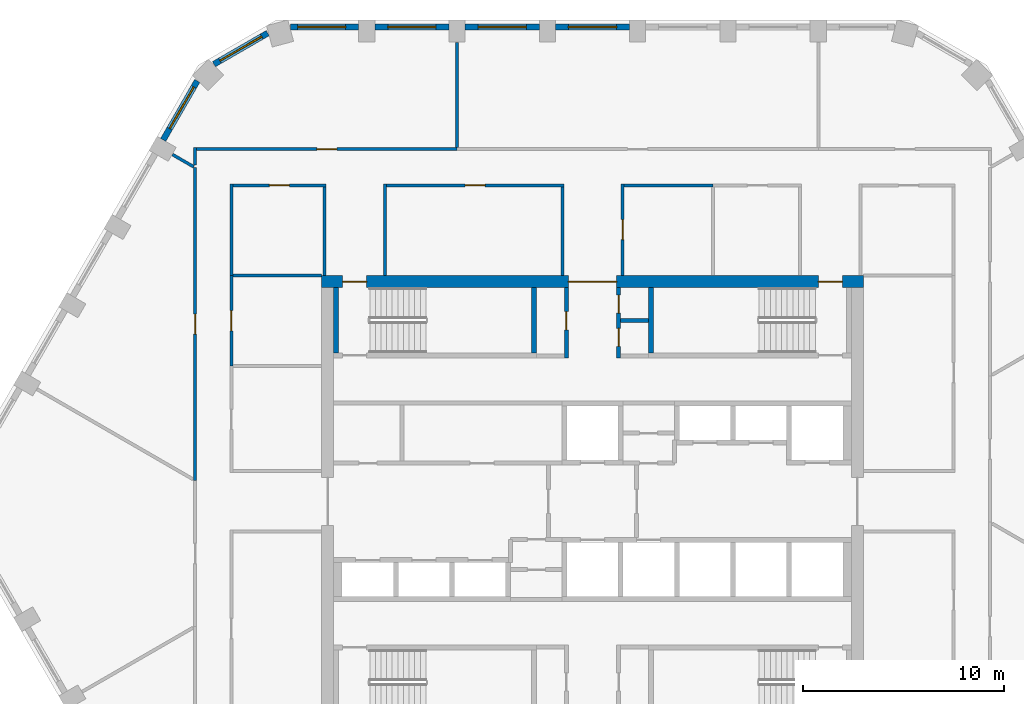
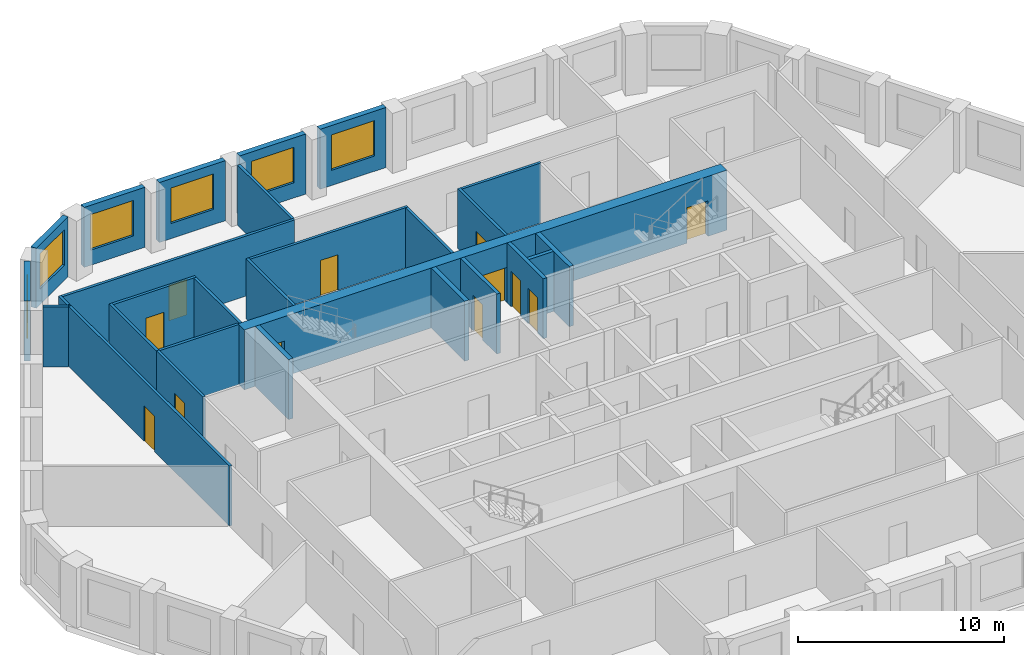
# One storey, part 6 of 9: 28 walls, 12 doors, 6 windows, 18 openings.
"""IFC4 building model written with IfcOpenShell, lengths in metres."""

from ifc_helpers import new_model, si_unit, direction, frame, frame_2d, origin, place, context, subcontext, project, spatial, rectangle, extrude, material, layer, layer_set, type_object, element, fill, save


model = new_model("IFC4")

# Units and contexts
model_context = context("Model", 3, precision=1e-05, world=origin(), true_north=direction((0.0, 1.0)))
body_context = subcontext(model_context, "Body", "Model", "MODEL_VIEW")
ifc_project = project(units=[si_unit("LENGTHUNIT", "METRE"), si_unit("AREAUNIT", "SQUARE_METRE"), si_unit("VOLUMEUNIT", "CUBIC_METRE"), si_unit("PLANEANGLEUNIT", "RADIAN"), si_unit("MASSUNIT", "GRAM", prefix="KILO")], contexts=[model_context])

# Site, building, storey
site_placement = place(None, origin())
site = spatial("IfcSite", under=ifc_project, at=site_placement, CompositionType="ELEMENT")
building_placement = place(site_placement, origin())
building = spatial("IfcBuilding", under=site, at=building_placement, Name="Dhurran Vertical Campus", CompositionType="ELEMENT")
storey_placement = place(building_placement, frame((0.0, 0.0, 203.39990234375)))
storey = spatial("IfcBuildingStorey", under=building, at=storey_placement, Name="L50", CompositionType="ELEMENT", Elevation=203.39990234375)

# Wall, opening, window
ifc_material_1 = material(Name="Precast concrete C50/60", Category="concrete")
ifc_layer_1 = layer(ifc_material_1, 0.300048828125)
ifc_layer_set_1 = layer_set([ifc_layer_1], Name="Precast concrete C50/60")
wall_type_1 = type_object("IfcWallType", Name="Precast spandrel wall 300", PredefinedType="SOLIDWALL", material=ifc_layer_set_1)
wall_1_placement = place(storey_placement, frame((1.849609375, 23.635498046875, 0.0), z_axis=(0.0, 0.0, 1.0), x_axis=(-1.0, 0.0, 0.0)))
wall_1 = element("IfcWall", 1, at=wall_1_placement, inside=storey, type_object=wall_type_1, Name="EW1 L50.23", PredefinedType="SOLIDWALL", context=body_context, shape_type="SweptSolid", body=[
    extrude(rectangle(XDim=3.69921875, YDim=0.300048828125, at=frame_2d((1.849609375, 0.0))), origin(), (0.0, 0.0, 1.0), 3.550048828125),
])
opening_1_placement = place(wall_1_placement, frame((0.6494140625, 0.0, 0.89990234375)))
opening_1 = element("IfcOpeningElement", 2, at=opening_1_placement, cuts=wall_1, Name="Opening WT1", PredefinedType="OPENING", context=body_context, shape_type="SweptSolid", body=[
    extrude(rectangle(XDim=2.39990234375, YDim=2.10009765625, at=frame_2d((1.199951171875, 1.050048828125))), frame((0.0, 0.159912109375, 0.0), z_axis=(0.0, -1.0, 0.0), x_axis=(1.0, 0.0, 0.0)), (0.0, 0.0, 1.0), 0.320068359375),
])
ifc_material_2 = material(Name="Aluminium frame with solar-control glass", Category="aluminium")
window_type = type_object("IfcWindowType", Name="Punched window 2400 x 2100", PartitioningType="SINGLE_PANEL", PredefinedType="WINDOW", material=ifc_material_2)
window_1_placement = place(opening_1_placement, origin())
window_1 = element("IfcWindow", 3, at=window_1_placement, inside=storey, type_object=window_type, Name="WT1 L50.23", OverallHeight=2.10009765625, OverallWidth=2.39990234375, PartitioningType="SINGLE_PANEL", PredefinedType="WINDOW", context=body_context, shape_type="SweptSolid", body=[
    extrude(rectangle(XDim=2.39990234375, YDim=2.10009765625, at=frame_2d((1.199951171875, 1.050048828125))), frame((0.0, 0.030029296875, 0.0), z_axis=(0.0, -1.0, 0.0), x_axis=(1.0, 0.0, 0.0)), (0.0, 0.0, 1.0), 0.06005859375),
])
fill(opening_1, window_1)

wall_2_placement = place(storey_placement, frame((-2.650390625, 23.635498046875, 0.0), z_axis=(0.0, 0.0, 1.0), x_axis=(-1.0, 0.0, 0.0)))
wall_2 = element("IfcWall", 4, at=wall_2_placement, inside=storey, type_object=wall_type_1, Name="EW1 L50.24", PredefinedType="SOLIDWALL", context=body_context, shape_type="SweptSolid", body=[
    extrude(rectangle(XDim=3.69921875, YDim=0.300048828125, at=frame_2d((1.849609375, 0.0))), origin(), (0.0, 0.0, 1.0), 3.550048828125),
])
opening_2_placement = place(wall_2_placement, frame((0.6494140625, 0.0, 0.89990234375)))
opening_2 = element("IfcOpeningElement", 5, at=opening_2_placement, cuts=wall_2, Name="Opening WT1", PredefinedType="OPENING", context=body_context, shape_type="SweptSolid", body=[
    extrude(rectangle(XDim=2.39990234375, YDim=2.10009765625, at=frame_2d((1.199951171875, 1.050048828125))), frame((0.0, 0.159912109375, 0.0), z_axis=(0.0, -1.0, 0.0), x_axis=(1.0, 0.0, 0.0)), (0.0, 0.0, 1.0), 0.320068359375),
])
window_2_placement = place(opening_2_placement, origin())
window_2 = element("IfcWindow", 6, at=window_2_placement, inside=storey, type_object=window_type, Name="WT1 L50.24", OverallHeight=2.10009765625, OverallWidth=2.39990234375, PartitioningType="SINGLE_PANEL", PredefinedType="WINDOW", context=body_context, shape_type="SweptSolid", body=[
    extrude(rectangle(XDim=2.39990234375, YDim=2.10009765625, at=frame_2d((1.199951171875, 1.050048828125))), frame((0.0, 0.030029296875, 0.0), z_axis=(0.0, -1.0, 0.0), x_axis=(1.0, 0.0, 0.0)), (0.0, 0.0, 1.0), 0.06005859375),
])
fill(opening_2, window_2)

wall_3_placement = place(storey_placement, frame((-7.150390625, 23.635498046875, 0.0), z_axis=(0.0, 0.0, 1.0), x_axis=(-1.0, 0.0, 0.0)))
wall_3 = element("IfcWall", 7, at=wall_3_placement, inside=storey, type_object=wall_type_1, Name="EW1 L50.25", PredefinedType="SOLIDWALL", context=body_context, shape_type="SweptSolid", body=[
    extrude(rectangle(XDim=3.69921875, YDim=0.300048828125, at=frame_2d((1.849609375, 0.0))), origin(), (0.0, 0.0, 1.0), 3.550048828125),
])
opening_3_placement = place(wall_3_placement, frame((0.6494140625, 0.0, 0.89990234375)))
opening_3 = element("IfcOpeningElement", 8, at=opening_3_placement, cuts=wall_3, Name="Opening WT1", PredefinedType="OPENING", context=body_context, shape_type="SweptSolid", body=[
    extrude(rectangle(XDim=2.39990234375, YDim=2.10009765625, at=frame_2d((1.199951171875, 1.050048828125))), frame((0.0, 0.159912109375, 0.0), z_axis=(0.0, -1.0, 0.0), x_axis=(1.0, 0.0, 0.0)), (0.0, 0.0, 1.0), 0.320068359375),
])
window_3_placement = place(opening_3_placement, origin())
window_3 = element("IfcWindow", 9, at=window_3_placement, inside=storey, type_object=window_type, Name="WT1 L50.25", OverallHeight=2.10009765625, OverallWidth=2.39990234375, PartitioningType="SINGLE_PANEL", PredefinedType="WINDOW", context=body_context, shape_type="SweptSolid", body=[
    extrude(rectangle(XDim=2.39990234375, YDim=2.10009765625, at=frame_2d((1.199951171875, 1.050048828125))), frame((0.0, 0.030029296875, 0.0), z_axis=(0.0, -1.0, 0.0), x_axis=(1.0, 0.0, 0.0)), (0.0, 0.0, 1.0), 0.06005859375),
])
fill(opening_3, window_3)

wall_4_placement = place(storey_placement, frame((-11.650390625, 23.635498046875, 0.0), z_axis=(0.0, 0.0, 1.0), x_axis=(-1.0, 0.0, 0.0)))
wall_4 = element("IfcWall", 10, at=wall_4_placement, inside=storey, type_object=wall_type_1, Name="EW1 L50.26", PredefinedType="SOLIDWALL", context=body_context, shape_type="SweptSolid", body=[
    extrude(rectangle(XDim=3.39599609375, YDim=0.300048828125, at=frame_2d((1.697998046875, 0.0))), origin(), (0.0, 0.0, 1.0), 3.550048828125),
])
opening_4_placement = place(wall_4_placement, frame((0.6494140625, 0.0, 0.89990234375)))
opening_4 = element("IfcOpeningElement", 11, at=opening_4_placement, cuts=wall_4, Name="Opening WT1", PredefinedType="OPENING", context=body_context, shape_type="SweptSolid", body=[
    extrude(rectangle(XDim=2.39990234375, YDim=2.10009765625, at=frame_2d((1.199951171875, 1.050048828125))), frame((0.0, 0.159912109375, 0.0), z_axis=(0.0, -1.0, 0.0), x_axis=(1.0, 0.0, 0.0)), (0.0, 0.0, 1.0), 0.320068359375),
])
window_4_placement = place(opening_4_placement, origin())
window_4 = element("IfcWindow", 12, at=window_4_placement, inside=storey, type_object=window_type, Name="WT1 L50.26", OverallHeight=2.10009765625, OverallWidth=2.39990234375, PartitioningType="SINGLE_PANEL", PredefinedType="WINDOW", context=body_context, shape_type="SweptSolid", body=[
    extrude(rectangle(XDim=2.39990234375, YDim=2.10009765625, at=frame_2d((1.199951171875, 1.050048828125))), frame((0.0, 0.030029296875, 0.0), z_axis=(0.0, -1.0, 0.0), x_axis=(1.0, 0.0, 0.0)), (0.0, 0.0, 1.0), 0.06005859375),
])
fill(opening_4, window_4)

wall_5_placement = place(storey_placement, frame((-16.184326171875, 23.330810546875, 0.0), z_axis=(0.0, 0.0, 1.0), x_axis=(-0.865994975416, -0.500052699777, 0.0)))
wall_5 = element("IfcWall", 13, at=wall_5_placement, inside=storey, type_object=wall_type_1, Name="EW1 L50.27", PredefinedType="SOLIDWALL", context=body_context, shape_type="SweptSolid", body=[
    extrude(rectangle(XDim=3.093017578125, YDim=0.300048828125, at=frame_2d((1.54638671875, 0.0))), origin(), (0.0, 0.0, 1.0), 3.550048828125),
])
opening_5_placement = place(wall_5_placement, frame((0.346435546875, 0.0, 0.89990234375)))
opening_5 = element("IfcOpeningElement", 14, at=opening_5_placement, cuts=wall_5, Name="Opening WT1", PredefinedType="OPENING", context=body_context, shape_type="SweptSolid", body=[
    extrude(rectangle(XDim=2.39990234375, YDim=2.10009765625, at=frame_2d((1.199951171875, 1.050048828125))), frame((0.0, 0.159912109375, 0.0), z_axis=(0.0, -1.0, 0.0), x_axis=(1.0, 0.0, 0.0)), (0.0, 0.0, 1.0), 0.320068359375),
])
window_5_placement = place(opening_5_placement, origin())
window_5 = element("IfcWindow", 15, at=window_5_placement, inside=storey, type_object=window_type, Name="WT1 L50.27", OverallHeight=2.10009765625, OverallWidth=2.39990234375, PartitioningType="SINGLE_PANEL", PredefinedType="WINDOW", context=body_context, shape_type="SweptSolid", body=[
    extrude(rectangle(XDim=2.39990234375, YDim=2.10009765625, at=frame_2d((1.199951171875, 1.050048828125))), frame((0.0, 0.030029296875, 0.0), z_axis=(0.0, -1.0, 0.0), x_axis=(1.0, 0.0, 0.0)), (0.0, 0.0, 1.0), 0.06005859375),
])
fill(opening_5, window_5)

wall_6_placement = place(storey_placement, frame((-19.69580078125, 20.951171875, 0.0), z_axis=(0.0, 0.0, 1.0), x_axis=(-0.500012868213, -0.866017974191, 0.0)))
wall_6 = element("IfcWall", 16, at=wall_6_placement, inside=storey, type_object=wall_type_1, Name="EW1 L50.28", PredefinedType="SOLIDWALL", context=body_context, shape_type="SweptSolid", body=[
    extrude(rectangle(XDim=3.39599609375, YDim=0.300048828125, at=frame_2d((1.697998046875, 0.0))), origin(), (0.0, 0.0, 1.0), 3.550048828125),
])
opening_6_placement = place(wall_6_placement, frame((0.346435546875, 0.0, 0.89990234375)))
opening_6 = element("IfcOpeningElement", 17, at=opening_6_placement, cuts=wall_6, Name="Opening WT1", PredefinedType="OPENING", context=body_context, shape_type="SweptSolid", body=[
    extrude(rectangle(XDim=2.39990234375, YDim=2.10009765625, at=frame_2d((1.199951171875, 1.050048828125))), frame((0.0, 0.159912109375, 0.0), z_axis=(0.0, -1.0, 0.0), x_axis=(1.0, 0.0, 0.0)), (0.0, 0.0, 1.0), 0.320068359375),
])
window_6_placement = place(opening_6_placement, origin())
window_6 = element("IfcWindow", 18, at=window_6_placement, inside=storey, type_object=window_type, Name="WT1 L50.28", OverallHeight=2.10009765625, OverallWidth=2.39990234375, PartitioningType="SINGLE_PANEL", PredefinedType="WINDOW", context=body_context, shape_type="SweptSolid", body=[
    extrude(rectangle(XDim=2.39990234375, YDim=2.10009765625, at=frame_2d((1.199951171875, 1.050048828125))), frame((0.0, 0.030029296875, 0.0), z_axis=(0.0, -1.0, 0.0), x_axis=(1.0, 0.0, 0.0)), (0.0, 0.0, 1.0), 0.06005859375),
])
fill(opening_6, window_6)

# Wall, openings, doors
ifc_material_3 = material(Name="Concrete C50/60", Category="concrete")
ifc_layer_2 = layer(ifc_material_3, 0.60009765625)
ifc_layer_set_2 = layer_set([ifc_layer_2], Name="Concrete C50/60")
wall_type_2 = type_object("IfcWallType", Name="co-CORE-WALL-C2-600", PredefinedType="SHEAR", material=ifc_layer_set_2)
wall_7_placement = place(storey_placement, frame((-13.5, 10.949951171875, 0.0), z_axis=(0.0, 0.0, 1.0), x_axis=(1.0, 0.0, 0.0)))
wall_7 = element("IfcWall", 19, at=wall_7_placement, inside=storey, type_object=wall_type_2, Name="Core wall N L50", PredefinedType="SHEAR", context=body_context, shape_type="SweptSolid", body=[
    extrude(rectangle(XDim=27.0, YDim=0.60009765625, at=frame_2d((13.5, 0.0))), origin(), (0.0, 0.0, 1.0), 3.550048828125),
])
opening_7_placement = place(wall_7_placement, frame((12.300048828125, 0.0, 0.0)))
opening_7 = element("IfcOpeningElement", 20, at=opening_7_placement, cuts=wall_7, Name="Opening CV1", PredefinedType="OPENING", context=body_context, shape_type="SweptSolid", body=[
    extrude(rectangle(XDim=2.39990234375, YDim=2.10009765625, at=frame_2d((1.199951171875, 1.050048828125))), frame((0.0, 0.31005859375, 0.0), z_axis=(0.0, -1.0, 0.0), x_axis=(1.0, 0.0, 0.0)), (0.0, 0.0, 1.0), 0.6201171875),
])
opening_8_placement = place(wall_7_placement, frame((1.050048828125, 0.0, 0.0)))
opening_8 = element("IfcOpeningElement", 21, at=opening_8_placement, cuts=wall_7, Name="Opening XD1", PredefinedType="OPENING", context=body_context, shape_type="SweptSolid", body=[
    extrude(rectangle(XDim=1.199951171875, YDim=2.10009765625, at=frame_2d((0.60009765625, 1.050048828125))), frame((0.0, 0.31005859375, 0.0), z_axis=(0.0, -1.0, 0.0), x_axis=(1.0, 0.0, 0.0)), (0.0, 0.0, 1.0), 0.6201171875),
])
opening_9_placement = place(wall_7_placement, frame((24.75, 0.0, 0.0)))
opening_9 = element("IfcOpeningElement", 22, at=opening_9_placement, cuts=wall_7, Name="Opening XD2", PredefinedType="OPENING", context=body_context, shape_type="SweptSolid", body=[
    extrude(rectangle(XDim=1.199951171875, YDim=2.10009765625, at=frame_2d((0.60009765625, 1.050048828125))), frame((0.0, 0.31005859375, 0.0), z_axis=(0.0, -1.0, 0.0), x_axis=(1.0, 0.0, 0.0)), (0.0, 0.0, 1.0), 0.6201171875),
])
ifc_material_4 = material(Name="Fire-rated glazed door set")
door_type_1 = type_object("IfcDoorType", Name="co-D-LOBBY 2400x2100", OperationType="DOUBLE_DOOR_DOUBLE_SWING", PredefinedType="DOOR", material=ifc_material_4)
door_1_placement = place(opening_7_placement, origin())
door_1 = element("IfcDoor", 23, at=door_1_placement, inside=storey, type_object=door_type_1, Name="Core vestibule door N L50", OperationType="DOUBLE_DOOR_DOUBLE_SWING", OverallHeight=2.10009765625, OverallWidth=2.39990234375, PredefinedType="DOOR", context=body_context, shape_type="SweptSolid", body=[
    extrude(rectangle(XDim=2.39990234375, YDim=2.10009765625, at=frame_2d((1.199951171875, 1.050048828125))), frame((0.0, 0.02490234375, 0.0), z_axis=(0.0, -1.0, 0.0), x_axis=(1.0, 0.0, 0.0)), (0.0, 0.0, 1.0), 0.050048828125),
])
fill(opening_7, door_1)
ifc_material_5 = material(Name="Fire-rated steel door set", Category="steel")
door_type_2 = type_object("IfcDoorType", Name="co-D-STAIR-EXIT 1200x2100", OperationType="SINGLE_SWING_RIGHT", PredefinedType="DOOR", material=ifc_material_5)
door_2_placement = place(opening_8_placement, origin())
door_2 = element("IfcDoor", 24, at=door_2_placement, inside=storey, type_object=door_type_2, Name="Stair ST1 exit door L50", OperationType="SINGLE_SWING_RIGHT", OverallHeight=2.10009765625, OverallWidth=1.199951171875, PredefinedType="DOOR", context=body_context, shape_type="SweptSolid", body=[
    extrude(rectangle(XDim=1.199951171875, YDim=2.10009765625, at=frame_2d((0.60009765625, 1.050048828125))), frame((0.0, 0.02490234375, 0.0), z_axis=(0.0, -1.0, 0.0), x_axis=(1.0, 0.0, 0.0)), (0.0, 0.0, 1.0), 0.050048828125),
])
fill(opening_8, door_2)
door_3_placement = place(opening_9_placement, origin())
door_3 = element("IfcDoor", 25, at=door_3_placement, inside=storey, type_object=door_type_2, Name="Stair ST2 exit door L50", OperationType="SINGLE_SWING_RIGHT", OverallHeight=2.10009765625, OverallWidth=1.199951171875, PredefinedType="DOOR", context=body_context, shape_type="SweptSolid", body=[
    extrude(rectangle(XDim=1.199951171875, YDim=2.10009765625, at=frame_2d((0.60009765625, 1.050048828125))), frame((0.0, 0.02490234375, 0.0), z_axis=(0.0, -1.0, 0.0), x_axis=(1.0, 0.0, 0.0)), (0.0, 0.0, 1.0), 0.050048828125),
])
fill(opening_9, door_3)

# Wall
ifc_material_6 = material(Name="Fire-rated masonry blockwork", Category="masonry")
ifc_layer_3 = layer(ifc_material_6, 0.199951171875)
ifc_layer_set_3 = layer_set([ifc_layer_3], Name="Fire-rated masonry blockwork")
wall_type_3 = type_object("IfcWallType", Name="co-FIRE-PARTITION-200", PredefinedType="PARTITIONING", material=ifc_layer_set_3)
wall_8_placement = place(storey_placement, frame((1.39990234375, 9.0, 0.0), z_axis=(0.0, 0.0, 1.0), x_axis=(1.0, 0.0, 0.0)))
element("IfcWall", 26, at=wall_8_placement, inside=storey, type_object=wall_type_3, Name="Core partition sl-NE-cut0 L50", PredefinedType="PARTITIONING", context=body_context, shape_type="SweptSolid", body=[
    extrude(rectangle(XDim=1.400146484375, YDim=0.199951171875, at=frame_2d((0.7001953125, 0.0))), origin(), (0.0, 0.0, 1.0), 3.550048828125),
])

# Wall, opening, door
wall_9_placement = place(storey_placement, frame((-1.300048828125, 7.14990234375, 0.0), z_axis=(0.0, 0.0, 1.0), x_axis=(0.0, 1.0, 0.0)))
wall_9 = element("IfcWall", 27, at=wall_9_placement, inside=storey, type_object=wall_type_3, Name="Core partition vest-NW L50", PredefinedType="PARTITIONING", context=body_context, shape_type="SweptSolid", body=[
    extrude(rectangle(XDim=3.5, YDim=0.199951171875, at=frame_2d((1.75, 0.0))), origin(), (0.0, 0.0, 1.0), 3.550048828125),
])
opening_10_placement = place(wall_9_placement, frame((1.39990234375, 0.0, 0.0)))
opening_10 = element("IfcOpeningElement", 28, at=opening_10_placement, cuts=wall_9, Name="Opening T14-C3", PredefinedType="OPENING", context=body_context, shape_type="SweptSolid", body=[
    extrude(rectangle(XDim=0.89990234375, YDim=2.10009765625, at=frame_2d((0.449951171875, 1.050048828125))), frame((0.0, 0.10986328125, 0.0), z_axis=(0.0, -1.0, 0.0), x_axis=(1.0, 0.0, 0.0)), (0.0, 0.0, 1.0), 0.219970703125),
])
ifc_material_7 = material(Name="Fire-rated timber door set", Category="wood")
door_type_3 = type_object("IfcDoorType", Name="co-D-ROOM 900x2100", OperationType="SINGLE_SWING_LEFT", PredefinedType="DOOR", material=ifc_material_7)
door_4_placement = place(opening_10_placement, origin())
door_4 = element("IfcDoor", 29, at=door_4_placement, inside=storey, type_object=door_type_3, Name="Cleaner's store door L50", OperationType="SINGLE_SWING_LEFT", OverallHeight=2.10009765625, OverallWidth=0.89990234375, PredefinedType="DOOR", context=body_context, shape_type="SweptSolid", body=[
    extrude(rectangle(XDim=0.89990234375, YDim=2.10009765625, at=frame_2d((0.449951171875, 1.050048828125))), frame((0.0, 0.02490234375, 0.0), z_axis=(0.0, -1.0, 0.0), x_axis=(1.0, 0.0, 0.0)), (0.0, 0.0, 1.0), 0.050048828125),
])
fill(opening_10, door_4)

# Wall, openings, doors
wall_10_placement = place(storey_placement, frame((1.300048828125, 7.14990234375, 0.0), z_axis=(0.0, 0.0, 1.0), x_axis=(0.0, 1.0, 0.0)))
wall_10 = element("IfcWall", 30, at=wall_10_placement, inside=storey, type_object=wall_type_3, Name="Core partition vest-NE L50", PredefinedType="PARTITIONING", context=body_context, shape_type="SweptSolid", body=[
    extrude(rectangle(XDim=3.5, YDim=0.199951171875, at=frame_2d((1.75, 0.0))), origin(), (0.0, 0.0, 1.0), 3.550048828125),
])
opening_11_placement = place(wall_10_placement, frame((0.574951171875, 0.0, 0.0)))
opening_11 = element("IfcOpeningElement", 31, at=opening_11_placement, cuts=wall_10, Name="Opening T14-C4", PredefinedType="OPENING", context=body_context, shape_type="SweptSolid", body=[
    extrude(rectangle(XDim=0.89990234375, YDim=2.10009765625, at=frame_2d((0.449951171875, 1.050048828125))), frame((0.0, 0.10986328125, 0.0), z_axis=(0.0, -1.0, 0.0), x_axis=(1.0, 0.0, 0.0)), (0.0, 0.0, 1.0), 0.219970703125),
])
opening_12_placement = place(wall_10_placement, frame((2.22509765625, 0.0, 0.0)))
opening_12 = element("IfcOpeningElement", 32, at=opening_12_placement, cuts=wall_10, Name="Opening T14-C5", PredefinedType="OPENING", context=body_context, shape_type="SweptSolid", body=[
    extrude(rectangle(XDim=0.89990234375, YDim=2.10009765625, at=frame_2d((0.449951171875, 1.050048828125))), frame((0.0, 0.10986328125, 0.0), z_axis=(0.0, -1.0, 0.0), x_axis=(1.0, 0.0, 0.0)), (0.0, 0.0, 1.0), 0.219970703125),
])
door_5_placement = place(opening_11_placement, origin())
door_5 = element("IfcDoor", 33, at=door_5_placement, inside=storey, type_object=door_type_3, Name="Pantry door L50", OperationType="SINGLE_SWING_LEFT", OverallHeight=2.10009765625, OverallWidth=0.89990234375, PredefinedType="DOOR", context=body_context, shape_type="SweptSolid", body=[
    extrude(rectangle(XDim=0.89990234375, YDim=2.10009765625, at=frame_2d((0.449951171875, 1.050048828125))), frame((0.0, 0.02490234375, 0.0), z_axis=(0.0, -1.0, 0.0), x_axis=(1.0, 0.0, 0.0)), (0.0, 0.0, 1.0), 0.050048828125),
])
fill(opening_11, door_5)
door_6_placement = place(opening_12_placement, origin())
door_6 = element("IfcDoor", 34, at=door_6_placement, inside=storey, type_object=door_type_3, Name="Plant room door L50", OperationType="SINGLE_SWING_LEFT", OverallHeight=2.10009765625, OverallWidth=0.89990234375, PredefinedType="DOOR", context=body_context, shape_type="SweptSolid", body=[
    extrude(rectangle(XDim=0.89990234375, YDim=2.10009765625, at=frame_2d((0.449951171875, 1.050048828125))), frame((0.0, 0.02490234375, 0.0), z_axis=(0.0, -1.0, 0.0), x_axis=(1.0, 0.0, 0.0)), (0.0, 0.0, 1.0), 0.050048828125),
])
fill(opening_12, door_6)

# Walls
ifc_material_8 = material(Name="Concrete C40/50", Category="concrete")
ifc_layer_4 = layer(ifc_material_8, 0.25)
ifc_layer_set_4 = layer_set([ifc_layer_4], Name="Concrete C40/50")
wall_type_4 = type_object("IfcWallType", Name="co-STAIR-WALL-250", PredefinedType="SHEAR", material=ifc_layer_set_4)
for number, where, z_axis, x_axis, name in (
    (35, (-12.77490234375, 7.39990234375, 0.0), (0.0, 0.0, 1.0), (0.0, 1.0, 0.0), "Stair ST1 enclosure wall L50"),
    (36, (-2.925048828125, 7.39990234375, 0.0), (0.0, 0.0, 1.0), (0.0, 1.0, 0.0), "Stair ST1 enclosure wall L50"),
    (37, (2.925048828125, 7.39990234375, 0.0), (0.0, 0.0, 1.0), (0.0, 1.0, 0.0), "Stair ST2 enclosure wall L50"),
):
    element("IfcWall", number, at=place(storey_placement, frame(where, z_axis=z_axis, x_axis=x_axis)), inside=storey, type_object=wall_type_4, Name=name, PredefinedType="SHEAR", context=body_context, shape_type="SweptSolid", body=[
        extrude(rectangle(XDim=3.25, YDim=0.25, at=frame_2d((1.625, 0.0))), origin(), (0.0, 0.0, 1.0), 3.550048828125),
    ])

# Wall, opening, door
ifc_material_9 = material(Name="Gypsum board corridor wall on steel studs", Category="steel")
ifc_layer_5 = layer(ifc_material_9, 0.14990234375)
ifc_layer_set_5 = layer_set([ifc_layer_5], Name="Gypsum board corridor wall on steel studs")
wall_type_5 = type_object("IfcWallType", Name="fl-CW-150 corridor wall", PredefinedType="PARTITIONING", material=ifc_layer_set_5)
wall_11_placement = place(storey_placement, frame((-19.800048828125, 16.6279296875, 0.0), z_axis=(0.0, 0.0, 1.0), x_axis=(0.0, -1.0, 0.0)))
wall_11 = element("IfcWall", 38, at=wall_11_placement, inside=storey, type_object=wall_type_5, Name="Partition 50-09", PredefinedType="PARTITIONING", context=body_context, shape_type="SweptSolid", body=[
    extrude(rectangle(XDim=15.5888671875, YDim=0.14990234375, at=frame_2d((7.79443359375, 0.0))), origin(), (0.0, 0.0, 1.0), 3.550048828125),
])
opening_13_placement = place(wall_11_placement, frame((7.29443359375, 0.0, 0.0)))
opening_13 = element("IfcOpeningElement", 39, at=opening_13_placement, cuts=wall_11, Name="Opening T14.02", PredefinedType="OPENING", context=body_context, shape_type="SweptSolid", body=[
    extrude(rectangle(XDim=1.0, YDim=2.10009765625, at=frame_2d((0.5, 1.050048828125))), frame((0.0, 0.0849609375, 0.0), z_axis=(0.0, -1.0, 0.0), x_axis=(1.0, 0.0, 0.0)), (0.0, 0.0, 1.0), 0.169921875),
])
ifc_material_10 = material(Name="Solid-core timber door set, fire-rated", Category="wood")
door_type_4 = type_object("IfcDoorType", Name="fl-D-1000x2100", OperationType="SINGLE_SWING_LEFT", PredefinedType="DOOR", material=ifc_material_10)
door_7_placement = place(opening_13_placement, origin())
door_7 = element("IfcDoor", 40, at=door_7_placement, inside=storey, type_object=door_type_4, Name="Door 50.02", OperationType="SINGLE_SWING_RIGHT", OverallHeight=2.10009765625, OverallWidth=1.0, PredefinedType="DOOR", context=body_context, shape_type="SweptSolid", body=[
    extrude(rectangle(XDim=1.0, YDim=2.10009765625, at=frame_2d((0.5, 1.050048828125))), frame((0.0, 0.02490234375, 0.0), z_axis=(0.0, -1.0, 0.0), x_axis=(1.0, 0.0, 0.0)), (0.0, 0.0, 1.0), 0.050048828125),
])
fill(opening_13, door_7)

# Wall
wall_12_placement = place(storey_placement, frame((-19.800048828125, 17.625, 0.0), z_axis=(0.0, 0.0, 1.0), x_axis=(0.0, -1.0, 0.0)))
element("IfcWall", 41, at=wall_12_placement, inside=storey, type_object=wall_type_5, Name="Partition 50-10", PredefinedType="PARTITIONING", context=body_context, shape_type="SweptSolid", body=[
    extrude(rectangle(XDim=0.866943359375, YDim=0.14990234375, at=frame_2d((0.43359375, 0.0))), origin(), (0.0, 0.0, 1.0), 3.550048828125),
])

# Wall, opening, door
wall_13_placement = place(storey_placement, frame((-6.75, 17.550048828125, 0.0), z_axis=(0.0, 0.0, 1.0), x_axis=(-1.0, 0.0, 0.0)))
wall_13 = element("IfcWall", 42, at=wall_13_placement, inside=storey, type_object=wall_type_5, Name="Partition 50-11", PredefinedType="PARTITIONING", context=body_context, shape_type="SweptSolid", body=[
    extrude(rectangle(XDim=12.97509765625, YDim=0.14990234375, at=frame_2d((6.487548828125, 0.0))), origin(), (0.0, 0.0, 1.0), 3.550048828125),
])
opening_14_placement = place(wall_13_placement, frame((5.987548828125, 0.0, 0.0)))
opening_14 = element("IfcOpeningElement", 43, at=opening_14_placement, cuts=wall_13, Name="Opening T14.10", PredefinedType="OPENING", context=body_context, shape_type="SweptSolid", body=[
    extrude(rectangle(XDim=1.0, YDim=2.10009765625, at=frame_2d((0.5, 1.050048828125))), frame((0.0, 0.0849609375, 0.0), z_axis=(0.0, -1.0, 0.0), x_axis=(1.0, 0.0, 0.0)), (0.0, 0.0, 1.0), 0.169921875),
])
door_8_placement = place(opening_14_placement, origin())
door_8 = element("IfcDoor", 44, at=door_8_placement, inside=storey, type_object=door_type_4, Name="Door 50.10", OperationType="SINGLE_SWING_LEFT", OverallHeight=2.10009765625, OverallWidth=1.0, PredefinedType="DOOR", context=body_context, shape_type="SweptSolid", body=[
    extrude(rectangle(XDim=1.0, YDim=2.10009765625, at=frame_2d((0.5, 1.050048828125))), frame((0.0, 0.02490234375, 0.0), z_axis=(0.0, -1.0, 0.0), x_axis=(1.0, 0.0, 0.0)), (0.0, 0.0, 1.0), 0.050048828125),
])
fill(opening_14, door_8)

wall_14_placement = place(storey_placement, frame((-18.0, 6.75, 0.0), z_axis=(0.0, 0.0, 1.0), x_axis=(0.0, 1.0, 0.0)))
wall_14 = element("IfcWall", 45, at=wall_14_placement, inside=storey, type_object=wall_type_5, Name="Partition 50-19", PredefinedType="PARTITIONING", context=body_context, shape_type="SweptSolid", body=[
    extrude(rectangle(XDim=4.5, YDim=0.14990234375, at=frame_2d((2.25, 0.0))), origin(), (0.0, 0.0, 1.0), 3.550048828125),
])
opening_15_placement = place(wall_14_placement, frame((1.75, 0.0, 0.0)))
opening_15 = element("IfcOpeningElement", 46, at=opening_15_placement, cuts=wall_14, Name="Opening T14.06", PredefinedType="OPENING", context=body_context, shape_type="SweptSolid", body=[
    extrude(rectangle(XDim=1.0, YDim=2.10009765625, at=frame_2d((0.5, 1.050048828125))), frame((0.0, 0.0849609375, 0.0), z_axis=(0.0, -1.0, 0.0), x_axis=(1.0, 0.0, 0.0)), (0.0, 0.0, 1.0), 0.169921875),
])
door_9_placement = place(opening_15_placement, origin())
door_9 = element("IfcDoor", 47, at=door_9_placement, inside=storey, type_object=door_type_4, Name="Door 50.06", OperationType="SINGLE_SWING_RIGHT", OverallHeight=2.10009765625, OverallWidth=1.0, PredefinedType="DOOR", context=body_context, shape_type="SweptSolid", body=[
    extrude(rectangle(XDim=1.0, YDim=2.10009765625, at=frame_2d((0.5, 1.050048828125))), frame((0.0, 0.02490234375, 0.0), z_axis=(0.0, -1.0, 0.0), x_axis=(1.0, 0.0, 0.0)), (0.0, 0.0, 1.0), 0.050048828125),
])
fill(opening_15, door_9)

# Wall
wall_15_placement = place(storey_placement, frame((-18.0, 11.25, 0.0), z_axis=(0.0, 0.0, 1.0), x_axis=(0.0, 1.0, 0.0)))
element("IfcWall", 48, at=wall_15_placement, inside=storey, type_object=wall_type_5, Name="Partition 50-21", PredefinedType="PARTITIONING", context=body_context, shape_type="SweptSolid", body=[
    extrude(rectangle(XDim=4.574951171875, YDim=0.14990234375, at=frame_2d((2.28759765625, 0.0))), origin(), (0.0, 0.0, 1.0), 3.550048828125),
])

# Wall, opening, door
wall_16_placement = place(storey_placement, frame((-17.925048828125, 15.75, 0.0), z_axis=(0.0, 0.0, 1.0), x_axis=(1.0, 0.0, 0.0)))
wall_16 = element("IfcWall", 49, at=wall_16_placement, inside=storey, type_object=wall_type_5, Name="Partition 50-23", PredefinedType="PARTITIONING", context=body_context, shape_type="SweptSolid", body=[
    extrude(rectangle(XDim=4.650146484375, YDim=0.14990234375, at=frame_2d((2.3251953125, 0.0))), origin(), (0.0, 0.0, 1.0), 3.550048828125),
])
opening_16_placement = place(wall_16_placement, frame((1.824951171875, 0.0, 0.0)))
opening_16 = element("IfcOpeningElement", 50, at=opening_16_placement, cuts=wall_16, Name="Opening T14.08", PredefinedType="OPENING", context=body_context, shape_type="SweptSolid", body=[
    extrude(rectangle(XDim=1.0, YDim=2.10009765625, at=frame_2d((0.5, 1.050048828125))), frame((0.0, 0.0849609375, 0.0), z_axis=(0.0, -1.0, 0.0), x_axis=(1.0, 0.0, 0.0)), (0.0, 0.0, 1.0), 0.169921875),
])
door_10_placement = place(opening_16_placement, origin())
door_10 = element("IfcDoor", 51, at=door_10_placement, inside=storey, type_object=door_type_4, Name="Door 50.08", OperationType="SINGLE_SWING_LEFT", OverallHeight=2.10009765625, OverallWidth=1.0, PredefinedType="DOOR", context=body_context, shape_type="SweptSolid", body=[
    extrude(rectangle(XDim=1.0, YDim=2.10009765625, at=frame_2d((0.5, 1.050048828125))), frame((0.0, 0.02490234375, 0.0), z_axis=(0.0, -1.0, 0.0), x_axis=(1.0, 0.0, 0.0)), (0.0, 0.0, 1.0), 0.050048828125),
])
fill(opening_16, door_10)

# Walls
wall_17_placement = place(storey_placement, frame((-13.35009765625, 15.675048828125, 0.0), z_axis=(0.0, 0.0, 1.0), x_axis=(0.0, -1.0, 0.0)))
element("IfcWall", 52, at=wall_17_placement, inside=storey, type_object=wall_type_5, Name="Partition 50-25", PredefinedType="PARTITIONING", context=body_context, shape_type="SweptSolid", body=[
    extrude(rectangle(XDim=4.425048828125, YDim=0.14990234375, at=frame_2d((2.21240234375, 0.0))), origin(), (0.0, 0.0, 1.0), 3.550048828125),
])
wall_18_placement = place(storey_placement, frame((-10.35009765625, 11.25, 0.0), z_axis=(0.0, 0.0, 1.0), x_axis=(0.0, 1.0, 0.0)))
element("IfcWall", 53, at=wall_18_placement, inside=storey, type_object=wall_type_5, Name="Partition 50-28", PredefinedType="PARTITIONING", context=body_context, shape_type="SweptSolid", body=[
    extrude(rectangle(XDim=4.574951171875, YDim=0.14990234375, at=frame_2d((2.28759765625, 0.0))), origin(), (0.0, 0.0, 1.0), 3.550048828125),
])

# Wall, opening, door
wall_19_placement = place(storey_placement, frame((-10.27490234375, 15.75, 0.0), z_axis=(0.0, 0.0, 1.0), x_axis=(1.0, 0.0, 0.0)))
wall_19 = element("IfcWall", 54, at=wall_19_placement, inside=storey, type_object=wall_type_5, Name="Partition 50-29", PredefinedType="PARTITIONING", context=body_context, shape_type="SweptSolid", body=[
    extrude(rectangle(XDim=8.849853515625, YDim=0.14990234375, at=frame_2d((4.4248046875, 0.0))), origin(), (0.0, 0.0, 1.0), 3.550048828125),
])
opening_17_placement = place(wall_19_placement, frame((3.925048828125, 0.0, 0.0)))
opening_17 = element("IfcOpeningElement", 55, at=opening_17_placement, cuts=wall_19, Name="Opening T14.12", PredefinedType="OPENING", context=body_context, shape_type="SweptSolid", body=[
    extrude(rectangle(XDim=1.0, YDim=2.10009765625, at=frame_2d((0.5, 1.050048828125))), frame((0.0, 0.0849609375, 0.0), z_axis=(0.0, -1.0, 0.0), x_axis=(1.0, 0.0, 0.0)), (0.0, 0.0, 1.0), 0.169921875),
])
door_11_placement = place(opening_17_placement, origin())
door_11 = element("IfcDoor", 56, at=door_11_placement, inside=storey, type_object=door_type_4, Name="Door 50.12", OperationType="SINGLE_SWING_RIGHT", OverallHeight=2.10009765625, OverallWidth=1.0, PredefinedType="DOOR", context=body_context, shape_type="SweptSolid", body=[
    extrude(rectangle(XDim=1.0, YDim=2.10009765625, at=frame_2d((0.5, 1.050048828125))), frame((0.0, 0.02490234375, 0.0), z_axis=(0.0, -1.0, 0.0), x_axis=(1.0, 0.0, 0.0)), (0.0, 0.0, 1.0), 0.050048828125),
])
fill(opening_17, door_11)

# Wall
wall_20_placement = place(storey_placement, frame((-1.5, 15.675048828125, 0.0), z_axis=(0.0, 0.0, 1.0), x_axis=(0.0, -1.0, 0.0)))
element("IfcWall", 57, at=wall_20_placement, inside=storey, type_object=wall_type_5, Name="Partition 50-35", PredefinedType="PARTITIONING", context=body_context, shape_type="SweptSolid", body=[
    extrude(rectangle(XDim=4.425048828125, YDim=0.14990234375, at=frame_2d((2.21240234375, 0.0))), origin(), (0.0, 0.0, 1.0), 3.550048828125),
])

# Wall, opening, door
wall_21_placement = place(storey_placement, frame((1.5, 11.25, 0.0), z_axis=(0.0, 0.0, 1.0), x_axis=(0.0, 1.0, 0.0)))
wall_21 = element("IfcWall", 58, at=wall_21_placement, inside=storey, type_object=wall_type_5, Name="Partition 50-38", PredefinedType="PARTITIONING", context=body_context, shape_type="SweptSolid", body=[
    extrude(rectangle(XDim=4.574951171875, YDim=0.14990234375, at=frame_2d((2.28759765625, 0.0))), origin(), (0.0, 0.0, 1.0), 3.550048828125),
])
opening_18_placement = place(wall_21_placement, frame((1.78759765625, 0.0, 0.0)))
opening_18 = element("IfcOpeningElement", 59, at=opening_18_placement, cuts=wall_21, Name="Opening T14.15", PredefinedType="OPENING", context=body_context, shape_type="SweptSolid", body=[
    extrude(rectangle(XDim=1.0, YDim=2.10009765625, at=frame_2d((0.5, 1.050048828125))), frame((0.0, 0.0849609375, 0.0), z_axis=(0.0, -1.0, 0.0), x_axis=(1.0, 0.0, 0.0)), (0.0, 0.0, 1.0), 0.169921875),
])
door_12_placement = place(opening_18_placement, origin())
door_12 = element("IfcDoor", 60, at=door_12_placement, inside=storey, type_object=door_type_4, Name="Door 50.15", OperationType="SINGLE_SWING_LEFT", OverallHeight=2.10009765625, OverallWidth=1.0, PredefinedType="DOOR", context=body_context, shape_type="SweptSolid", body=[
    extrude(rectangle(XDim=1.0, YDim=2.10009765625, at=frame_2d((0.5, 1.050048828125))), frame((0.0, 0.02490234375, 0.0), z_axis=(0.0, -1.0, 0.0), x_axis=(1.0, 0.0, 0.0)), (0.0, 0.0, 1.0), 0.050048828125),
])
fill(opening_18, door_12)

# Walls
wall_22_placement = place(storey_placement, frame((1.574951171875, 15.75, 0.0), z_axis=(0.0, 0.0, 1.0), x_axis=(1.0, 0.0, 0.0)))
element("IfcWall", 61, at=wall_22_placement, inside=storey, type_object=wall_type_5, Name="Partition 50-39", PredefinedType="PARTITIONING", context=body_context, shape_type="SweptSolid", body=[
    extrude(rectangle(XDim=4.425048828125, YDim=0.14990234375, at=frame_2d((2.21240234375, 0.0))), origin(), (0.0, 0.0, 1.0), 3.550048828125),
])
ifc_material_11 = material(Name="Gypsum board partition on steel studs", Category="steel")
ifc_layer_6 = layer(ifc_material_11, 0.14990234375)
ifc_layer_set_6 = layer_set([ifc_layer_6], Name="Gypsum board partition on steel studs")
wall_type_6 = type_object("IfcWallType", Name="fl-PW-150 fixed partition", PredefinedType="PARTITIONING", material=ifc_layer_set_6)
wall_23_placement = place(storey_placement, frame((-20.92724609375, 17.2783203125, 0.0), z_axis=(0.0, 0.0, 1.0), x_axis=(0.866202157257, -0.499693728962, 0.0)))
element("IfcWall", 62, at=wall_23_placement, inside=storey, type_object=wall_type_6, Name="Partition 50-04", PredefinedType="PARTITIONING", context=body_context, shape_type="SweptSolid", body=[
    extrude(rectangle(XDim=1.226318359375, YDim=0.14990234375, at=frame_2d((0.61328125, 0.0))), origin(), (0.0, 0.0, 1.0), 3.550048828125),
])
wall_24_placement = place(storey_placement, frame((-17.925048828125, 11.25, 0.0), z_axis=(0.0, 0.0, 1.0), x_axis=(1.0, 0.0, 0.0)))
element("IfcWall", 63, at=wall_24_placement, inside=storey, type_object=wall_type_6, Name="Partition 50-22", PredefinedType="PARTITIONING", context=body_context, shape_type="SweptSolid", body=[
    extrude(rectangle(XDim=4.425048828125, YDim=0.14990234375, at=frame_2d((2.21240234375, 0.0))), origin(), (0.0, 0.0, 1.0), 3.550048828125),
])
wall_25_placement = place(storey_placement, frame((-6.75, 22.865478515625, 0.0), z_axis=(0.0, 0.0, 1.0), x_axis=(0.0, -1.0, 0.0)))
element("IfcWall", 64, at=wall_25_placement, inside=storey, type_object=wall_type_6, Name="Partition 50-32", PredefinedType="PARTITIONING", context=body_context, shape_type="SweptSolid", body=[
    extrude(rectangle(XDim=5.240478515625, YDim=0.14990234375, at=frame_2d((2.6201171875, 0.0))), origin(), (0.0, 0.0, 1.0), 3.550048828125),
])

save(model, "model.ifc")
